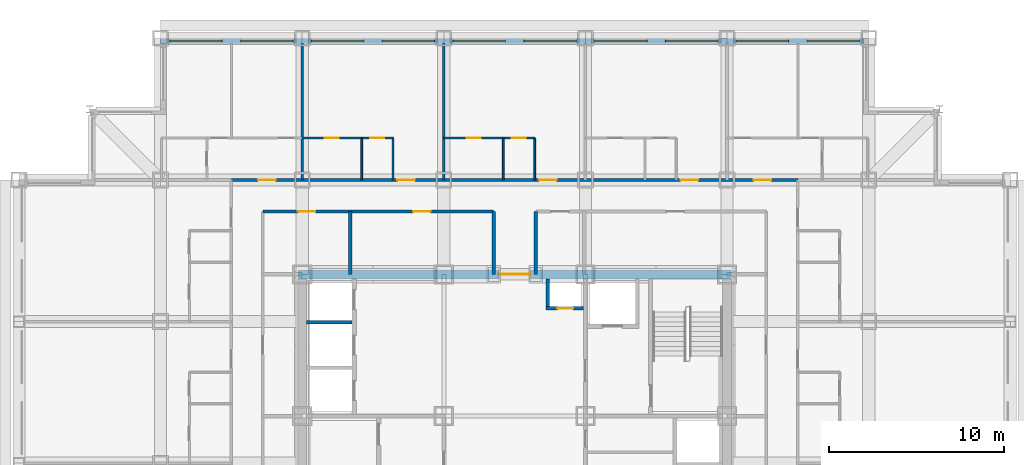
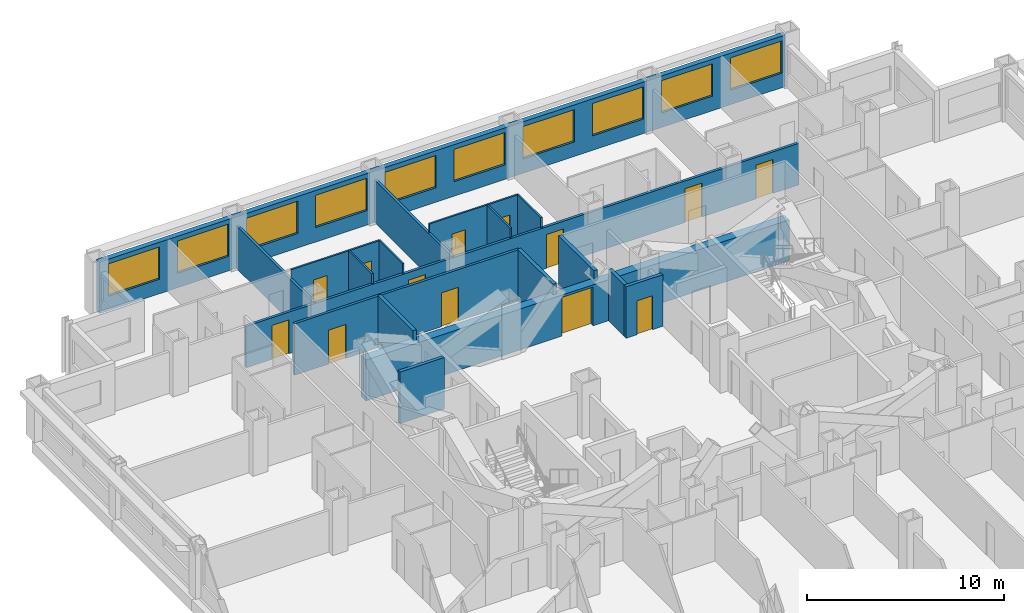
# One storey, part 9 of 12: 18 walls, 13 doors, 10 windows, 23 openings.
"""IFC4 building model written with IfcOpenShell, lengths in metres."""

from ifc_helpers import new_model, si_unit, direction, frame, frame_2d, origin, place, context, subcontext, project, spatial, rectangle, extrude, material, layer, layer_set, type_object, element, fill, save


model = new_model("IFC4")

# Units and contexts
model_context = context("Model", 3, precision=1e-05, world=origin(), true_north=direction((0.0, 1.0)))
body_context = subcontext(model_context, "Body", "Model", "MODEL_VIEW")
ifc_project = project(units=[si_unit("LENGTHUNIT", "METRE"), si_unit("AREAUNIT", "SQUARE_METRE"), si_unit("VOLUMEUNIT", "CUBIC_METRE"), si_unit("PLANEANGLEUNIT", "RADIAN"), si_unit("MASSUNIT", "GRAM", prefix="KILO")], contexts=[model_context])

# Site, building, storey
site_placement = place(None, origin())
site = spatial("IfcSite", under=ifc_project, at=site_placement, CompositionType="ELEMENT")
building_placement = place(site_placement, origin())
building = spatial("IfcBuilding", under=site, at=building_placement, Name="Kopane Lantern Tower", CompositionType="ELEMENT")
storey_placement = place(building_placement, frame((0.0, 0.0, 103.39990234375)))
storey = spatial("IfcBuildingStorey", under=building, at=storey_placement, Name="L25", CompositionType="ELEMENT", Elevation=103.39990234375)

# Wall, openings, doors
ifc_material_1 = material(Name="Moisture-resistant board on steel studs", Category="steel")
ifc_layer_1 = layer(ifc_material_1, 0.10009765625)
ifc_layer_set_1 = layer_set([ifc_layer_1], Name="BATHROOM WALL 100")
wall_type_1 = type_object("IfcWallType", Name="BATHROOM WALL 100", PredefinedType="PARTITIONING", material=ifc_layer_set_1)
wall_1_placement = place(storey_placement, frame((16.199951171875, 48.300048828125, 0.0), z_axis=(0.0, 0.0, 1.0), x_axis=(1.0, 0.0, 0.0)))
wall_1 = element("IfcWall", 1, at=wall_1_placement, inside=storey, type_object=wall_type_1, Name="Bathroom Wall 100 L25", PredefinedType="PARTITIONING", context=body_context, shape_type="SweptSolid", body=[
    extrude(rectangle(XDim=5.199951171875, YDim=0.10009765625, at=frame_2d((2.60009765625, 0.0))), origin(), (0.0, 0.0, 1.0), 3.190185546875),
])
opening_1_placement = place(wall_1_placement, frame((1.300048828125, 0.0, 0.0)))
opening_1 = element("IfcOpeningElement", 2, at=opening_1_placement, cuts=wall_1, Name="Opening L25-021", PredefinedType="OPENING", context=body_context, shape_type="SweptSolid", body=[
    extrude(rectangle(XDim=0.800048828125, YDim=2.10009765625, at=frame_2d((0.39990234375, 1.050048828125))), frame((0.0, 0.06005859375, 0.0), z_axis=(0.0, -1.0, 0.0), x_axis=(1.0, 0.0, 0.0)), (0.0, 0.0, 1.0), 0.1201171875),
])
opening_2_placement = place(wall_1_placement, frame((3.89990234375, 0.0, 0.0)))
opening_2 = element("IfcOpeningElement", 3, at=opening_2_placement, cuts=wall_1, Name="Opening L25-022", PredefinedType="OPENING", context=body_context, shape_type="SweptSolid", body=[
    extrude(rectangle(XDim=0.800048828125, YDim=2.10009765625, at=frame_2d((0.39990234375, 1.050048828125))), frame((0.0, 0.06005859375, 0.0), z_axis=(0.0, -1.0, 0.0), x_axis=(1.0, 0.0, 0.0)), (0.0, 0.0, 1.0), 0.1201171875),
])
ifc_material_2 = material(Name="Timber door set", Category="wood")
door_type_1 = type_object("IfcDoorType", Name="DOOR D2 800x2100", OperationType="SINGLE_SWING_LEFT", PredefinedType="DOOR", material=ifc_material_2)
door_1_placement = place(opening_1_placement, origin())
door_1 = element("IfcDoor", 4, at=door_1_placement, inside=storey, type_object=door_type_1, Name="Door L25-021", OperationType="SINGLE_SWING_LEFT", OverallHeight=2.10009765625, OverallWidth=0.800048828125, PredefinedType="DOOR", context=body_context, shape_type="SweptSolid", body=[
    extrude(rectangle(XDim=0.800048828125, YDim=2.10009765625, at=frame_2d((0.39990234375, 1.050048828125))), frame((0.0, 0.02490234375, 0.0), z_axis=(0.0, -1.0, 0.0), x_axis=(1.0, 0.0, 0.0)), (0.0, 0.0, 1.0), 0.050048828125),
])
fill(opening_1, door_1)
door_2_placement = place(opening_2_placement, origin())
door_2 = element("IfcDoor", 5, at=door_2_placement, inside=storey, type_object=door_type_1, Name="Door L25-022", OperationType="SINGLE_SWING_LEFT", OverallHeight=2.10009765625, OverallWidth=0.800048828125, PredefinedType="DOOR", context=body_context, shape_type="SweptSolid", body=[
    extrude(rectangle(XDim=0.800048828125, YDim=2.10009765625, at=frame_2d((0.39990234375, 1.050048828125))), frame((0.0, 0.02490234375, 0.0), z_axis=(0.0, -1.0, 0.0), x_axis=(1.0, 0.0, 0.0)), (0.0, 0.0, 1.0), 0.050048828125),
])
fill(opening_2, door_2)

# Walls
for number, where, z_axis, x_axis, name in (
    (6, (19.60009765625, 45.89990234375, 0.0), (0.0, 0.0, 1.0), (0.0, 1.0, 0.0), "Bathroom Wall 100 L25"),
    (7, (21.39990234375, 45.89990234375, 0.0), (0.0, 0.0, 1.0), (0.0, 1.0, 0.0), "Bathroom Wall 100 L25"),
):
    element("IfcWall", number, at=place(storey_placement, frame(where, z_axis=z_axis, x_axis=x_axis)), inside=storey, type_object=wall_type_1, Name=name, PredefinedType="PARTITIONING", context=body_context, shape_type="SweptSolid", body=[
        extrude(rectangle(XDim=2.400146484375, YDim=0.10009765625, at=frame_2d((1.2001953125, 0.0))), origin(), (0.0, 0.0, 1.0), 3.190185546875),
    ])

# Wall, openings, doors
wall_2_placement = place(storey_placement, frame((24.300048828125, 48.300048828125, 0.0), z_axis=(0.0, 0.0, 1.0), x_axis=(1.0, 0.0, 0.0)))
wall_2 = element("IfcWall", 8, at=wall_2_placement, inside=storey, type_object=wall_type_1, Name="Bathroom Wall 100 L25", PredefinedType="PARTITIONING", context=body_context, shape_type="SweptSolid", body=[
    extrude(rectangle(XDim=5.199951171875, YDim=0.10009765625, at=frame_2d((2.60009765625, 0.0))), origin(), (0.0, 0.0, 1.0), 3.190185546875),
])
opening_3_placement = place(wall_2_placement, frame((1.300048828125, 0.0, 0.0)))
opening_3 = element("IfcOpeningElement", 9, at=opening_3_placement, cuts=wall_2, Name="Opening L25-024", PredefinedType="OPENING", context=body_context, shape_type="SweptSolid", body=[
    extrude(rectangle(XDim=0.800048828125, YDim=2.10009765625, at=frame_2d((0.39990234375, 1.050048828125))), frame((0.0, 0.06005859375, 0.0), z_axis=(0.0, -1.0, 0.0), x_axis=(1.0, 0.0, 0.0)), (0.0, 0.0, 1.0), 0.1201171875),
])
opening_4_placement = place(wall_2_placement, frame((3.89990234375, 0.0, 0.0)))
opening_4 = element("IfcOpeningElement", 10, at=opening_4_placement, cuts=wall_2, Name="Opening L25-025", PredefinedType="OPENING", context=body_context, shape_type="SweptSolid", body=[
    extrude(rectangle(XDim=0.800048828125, YDim=2.10009765625, at=frame_2d((0.39990234375, 1.050048828125))), frame((0.0, 0.06005859375, 0.0), z_axis=(0.0, -1.0, 0.0), x_axis=(1.0, 0.0, 0.0)), (0.0, 0.0, 1.0), 0.1201171875),
])
door_3_placement = place(opening_3_placement, origin())
door_3 = element("IfcDoor", 11, at=door_3_placement, inside=storey, type_object=door_type_1, Name="Door L25-024", OperationType="SINGLE_SWING_LEFT", OverallHeight=2.10009765625, OverallWidth=0.800048828125, PredefinedType="DOOR", context=body_context, shape_type="SweptSolid", body=[
    extrude(rectangle(XDim=0.800048828125, YDim=2.10009765625, at=frame_2d((0.39990234375, 1.050048828125))), frame((0.0, 0.02490234375, 0.0), z_axis=(0.0, -1.0, 0.0), x_axis=(1.0, 0.0, 0.0)), (0.0, 0.0, 1.0), 0.050048828125),
])
fill(opening_3, door_3)
door_4_placement = place(opening_4_placement, origin())
door_4 = element("IfcDoor", 12, at=door_4_placement, inside=storey, type_object=door_type_1, Name="Door L25-025", OperationType="SINGLE_SWING_LEFT", OverallHeight=2.10009765625, OverallWidth=0.800048828125, PredefinedType="DOOR", context=body_context, shape_type="SweptSolid", body=[
    extrude(rectangle(XDim=0.800048828125, YDim=2.10009765625, at=frame_2d((0.39990234375, 1.050048828125))), frame((0.0, 0.02490234375, 0.0), z_axis=(0.0, -1.0, 0.0), x_axis=(1.0, 0.0, 0.0)), (0.0, 0.0, 1.0), 0.050048828125),
])
fill(opening_4, door_4)

# Walls
for number, where, z_axis, x_axis, name in (
    (13, (27.699951171875, 45.89990234375, 0.0), (0.0, 0.0, 1.0), (0.0, 1.0, 0.0), "Bathroom Wall 100 L25"),
    (14, (29.5, 45.89990234375, 0.0), (0.0, 0.0, 1.0), (0.0, 1.0, 0.0), "Bathroom Wall 100 L25"),
):
    element("IfcWall", number, at=place(storey_placement, frame(where, z_axis=z_axis, x_axis=x_axis)), inside=storey, type_object=wall_type_1, Name=name, PredefinedType="PARTITIONING", context=body_context, shape_type="SweptSolid", body=[
        extrude(rectangle(XDim=2.400146484375, YDim=0.10009765625, at=frame_2d((1.2001953125, 0.0))), origin(), (0.0, 0.0, 1.0), 3.190185546875),
    ])

# Wall, opening, door
ifc_material_3 = material(Name="Gypsum shaft wall EI 120", Category="gypsum")
ifc_layer_2 = layer(ifc_material_3, 0.5)
ifc_layer_set_2 = layer_set([ifc_layer_2], Name="CORE PERIMETER WALL 500 EI 120")
wall_type_2 = type_object("IfcWallType", Name="CORE PERIMETER WALL 500 EI 120", PredefinedType="SOLIDWALL", material=ifc_layer_set_2)
wall_3_placement = place(storey_placement, frame((15.949951171875, 40.5, 0.0), z_axis=(0.0, 0.0, 1.0), x_axis=(1.0, 0.0, 0.0)))
wall_3 = element("IfcWall", 15, at=wall_3_placement, inside=storey, type_object=wall_type_2, Name="Core shaft wall L25 PN", PredefinedType="SOLIDWALL", context=body_context, shape_type="SweptSolid", body=[
    extrude(rectangle(XDim=24.800048828125, YDim=0.5, at=frame_2d((12.39990234375, 0.0))), origin(), (0.0, 0.0, 1.0), 2.5400390625),
])
opening_5_placement = place(wall_3_placement, frame((11.5, 0.0, 0.0)))
opening_5 = element("IfcOpeningElement", 16, at=opening_5_placement, cuts=wall_3, Name="Opening 25.CE-N", PredefinedType="OPENING", context=body_context, shape_type="SweptSolid", body=[
    extrude(rectangle(XDim=1.800048828125, YDim=2.39990234375, at=frame_2d((0.89990234375, 1.199951171875))), frame((0.0, 0.260009765625, 0.0), z_axis=(0.0, -1.0, 0.0), x_axis=(1.0, 0.0, 0.0)), (0.0, 0.0, 1.0), 0.52001953125),
])
ifc_material_4 = material(Name="Steel door set", Category="steel")
door_type_2 = type_object("IfcDoorType", Name="CORE ENTRY DOOR 1800x2400 FD60S", OperationType="DOUBLE_DOOR_SINGLE_SWING", PredefinedType="DOOR", material=ifc_material_4)
door_5_placement = place(opening_5_placement, origin())
door_5 = element("IfcDoor", 17, at=door_5_placement, inside=storey, type_object=door_type_2, Name="Core entry door L25 north", OperationType="DOUBLE_DOOR_SINGLE_SWING", OverallHeight=2.39990234375, OverallWidth=1.800048828125, PredefinedType="DOOR", context=body_context, shape_type="SweptSolid", body=[
    extrude(rectangle(XDim=1.800048828125, YDim=2.39990234375, at=frame_2d((0.89990234375, 1.199951171875))), frame((0.0, 0.02490234375, 0.0), z_axis=(0.0, -1.0, 0.0), x_axis=(1.0, 0.0, 0.0)), (0.0, 0.0, 1.0), 0.050048828125),
])
fill(opening_5, door_5)

# Wall, openings, doors
ifc_material_5 = material(Name="Gypsum board on steel studs", Category="steel")
ifc_layer_3 = layer(ifc_material_5, 0.14990234375)
ifc_layer_set_3 = layer_set([ifc_layer_3], Name="CORRIDOR WALL 150 EI 60")
wall_type_3 = type_object("IfcWallType", Name="CORRIDOR WALL 150 EI 60", PredefinedType="PARTITIONING", material=ifc_layer_set_3)
wall_4_placement = place(storey_placement, frame((12.14990234375, 45.89990234375, 0.0), z_axis=(0.0, 0.0, 1.0), x_axis=(1.0, 0.0, 0.0)))
wall_4 = element("IfcWall", 18, at=wall_4_placement, inside=storey, type_object=wall_type_3, Name="Corridor Wall 150 Ei 60 L25", PredefinedType="PARTITIONING", context=body_context, shape_type="SweptSolid", body=[
    extrude(rectangle(XDim=32.400146484375, YDim=0.14990234375, at=frame_2d((16.2001953125, 0.0))), origin(), (0.0, 0.0, 1.0), 2.577880859375),
])
opening_6_placement = place(wall_4_placement, frame((9.5, 0.0, 0.0)))
opening_6 = element("IfcOpeningElement", 19, at=opening_6_placement, cuts=wall_4, Name="Opening L25-023", PredefinedType="OPENING", context=body_context, shape_type="SweptSolid", body=[
    extrude(rectangle(XDim=1.0, YDim=2.10009765625, at=frame_2d((0.5, 1.050048828125))), frame((0.0, 0.0849609375, 0.0), z_axis=(0.0, -1.0, 0.0), x_axis=(1.0, 0.0, 0.0)), (0.0, 0.0, 1.0), 0.169921875),
])
opening_7_placement = place(wall_4_placement, frame((17.60009765625, 0.0, 0.0)))
opening_7 = element("IfcOpeningElement", 20, at=opening_7_placement, cuts=wall_4, Name="Opening L25-026", PredefinedType="OPENING", context=body_context, shape_type="SweptSolid", body=[
    extrude(rectangle(XDim=1.0, YDim=2.10009765625, at=frame_2d((0.5, 1.050048828125))), frame((0.0, 0.0849609375, 0.0), z_axis=(0.0, -1.0, 0.0), x_axis=(1.0, 0.0, 0.0)), (0.0, 0.0, 1.0), 0.169921875),
])
opening_8_placement = place(wall_4_placement, frame((25.699951171875, 0.0, 0.0)))
opening_8 = element("IfcOpeningElement", 21, at=opening_8_placement, cuts=wall_4, Name="Opening L25-029", PredefinedType="OPENING", context=body_context, shape_type="SweptSolid", body=[
    extrude(rectangle(XDim=1.0, YDim=2.10009765625, at=frame_2d((0.5, 1.050048828125))), frame((0.0, 0.0849609375, 0.0), z_axis=(0.0, -1.0, 0.0), x_axis=(1.0, 0.0, 0.0)), (0.0, 0.0, 1.0), 0.169921875),
])
opening_9_placement = place(wall_4_placement, frame((29.875, 0.0, 0.0)))
opening_9 = element("IfcOpeningElement", 22, at=opening_9_placement, cuts=wall_4, Name="Opening L25-059", PredefinedType="OPENING", context=body_context, shape_type="SweptSolid", body=[
    extrude(rectangle(XDim=1.0, YDim=2.10009765625, at=frame_2d((0.5, 1.050048828125))), frame((0.0, 0.0849609375, 0.0), z_axis=(0.0, -1.0, 0.0), x_axis=(1.0, 0.0, 0.0)), (0.0, 0.0, 1.0), 0.169921875),
])
opening_10_placement = place(wall_4_placement, frame((1.52490234375, 0.0, 0.0)))
opening_10 = element("IfcOpeningElement", 23, at=opening_10_placement, cuts=wall_4, Name="Opening L25-063", PredefinedType="OPENING", context=body_context, shape_type="SweptSolid", body=[
    extrude(rectangle(XDim=1.0, YDim=2.10009765625, at=frame_2d((0.5, 1.050048828125))), frame((0.0, 0.0849609375, 0.0), z_axis=(0.0, -1.0, 0.0), x_axis=(1.0, 0.0, 0.0)), (0.0, 0.0, 1.0), 0.169921875),
])
ifc_material_6 = material(Name="Steel door set", Category="steel")
door_type_3 = type_object("IfcDoorType", Name="DOOR D1 1000x2100 FD30S", OperationType="SINGLE_SWING_LEFT", PredefinedType="DOOR", material=ifc_material_6)
door_6_placement = place(opening_6_placement, origin())
door_6 = element("IfcDoor", 24, at=door_6_placement, inside=storey, type_object=door_type_3, Name="Door L25-023", OperationType="SINGLE_SWING_LEFT", OverallHeight=2.10009765625, OverallWidth=1.0, PredefinedType="DOOR", context=body_context, shape_type="SweptSolid", body=[
    extrude(rectangle(XDim=1.0, YDim=2.10009765625, at=frame_2d((0.5, 1.050048828125))), frame((0.0, 0.02490234375, 0.0), z_axis=(0.0, -1.0, 0.0), x_axis=(1.0, 0.0, 0.0)), (0.0, 0.0, 1.0), 0.050048828125),
])
fill(opening_6, door_6)
door_7_placement = place(opening_7_placement, origin())
door_7 = element("IfcDoor", 25, at=door_7_placement, inside=storey, type_object=door_type_3, Name="Door L25-026", OperationType="SINGLE_SWING_LEFT", OverallHeight=2.10009765625, OverallWidth=1.0, PredefinedType="DOOR", context=body_context, shape_type="SweptSolid", body=[
    extrude(rectangle(XDim=1.0, YDim=2.10009765625, at=frame_2d((0.5, 1.050048828125))), frame((0.0, 0.02490234375, 0.0), z_axis=(0.0, -1.0, 0.0), x_axis=(1.0, 0.0, 0.0)), (0.0, 0.0, 1.0), 0.050048828125),
])
fill(opening_7, door_7)
door_8_placement = place(opening_8_placement, origin())
door_8 = element("IfcDoor", 26, at=door_8_placement, inside=storey, type_object=door_type_3, Name="Door L25-029", OperationType="SINGLE_SWING_LEFT", OverallHeight=2.10009765625, OverallWidth=1.0, PredefinedType="DOOR", context=body_context, shape_type="SweptSolid", body=[
    extrude(rectangle(XDim=1.0, YDim=2.10009765625, at=frame_2d((0.5, 1.050048828125))), frame((0.0, 0.02490234375, 0.0), z_axis=(0.0, -1.0, 0.0), x_axis=(1.0, 0.0, 0.0)), (0.0, 0.0, 1.0), 0.050048828125),
])
fill(opening_8, door_8)
door_9_placement = place(opening_9_placement, origin())
door_9 = element("IfcDoor", 27, at=door_9_placement, inside=storey, type_object=door_type_3, Name="Door L25-059", OperationType="SINGLE_SWING_LEFT", OverallHeight=2.10009765625, OverallWidth=1.0, PredefinedType="DOOR", context=body_context, shape_type="SweptSolid", body=[
    extrude(rectangle(XDim=1.0, YDim=2.10009765625, at=frame_2d((0.5, 1.050048828125))), frame((0.0, 0.02490234375, 0.0), z_axis=(0.0, -1.0, 0.0), x_axis=(1.0, 0.0, 0.0)), (0.0, 0.0, 1.0), 0.050048828125),
])
fill(opening_9, door_9)
door_10_placement = place(opening_10_placement, origin())
door_10 = element("IfcDoor", 28, at=door_10_placement, inside=storey, type_object=door_type_3, Name="Door L25-063", OperationType="SINGLE_SWING_RIGHT", OverallHeight=2.10009765625, OverallWidth=1.0, PredefinedType="DOOR", context=body_context, shape_type="SweptSolid", body=[
    extrude(rectangle(XDim=1.0, YDim=2.10009765625, at=frame_2d((0.5, 1.050048828125))), frame((0.0, 0.02490234375, 0.0), z_axis=(0.0, -1.0, 0.0), x_axis=(1.0, 0.0, 0.0)), (0.0, 0.0, 1.0), 0.050048828125),
])
fill(opening_10, door_10)

wall_5_placement = place(storey_placement, frame((27.139892578125, 44.10009765625, 0.0), z_axis=(0.0, 0.0, 1.0), x_axis=(-1.0, 0.0, 0.0)))
wall_5 = element("IfcWall", 29, at=wall_5_placement, inside=storey, type_object=wall_type_3, Name="Corridor Wall 150 Ei 60 L25", PredefinedType="PARTITIONING", context=body_context, shape_type="SweptSolid", body=[
    extrude(rectangle(XDim=13.18994140625, YDim=0.14990234375, at=frame_2d((6.594970703125, 0.0))), origin(), (0.0, 0.0, 1.0), 3.190185546875),
])
opening_11_placement = place(wall_5_placement, frame((10.18994140625, 0.0, 0.0)))
opening_11 = element("IfcOpeningElement", 30, at=opening_11_placement, cuts=wall_5, Name="Opening L25-005", PredefinedType="OPENING", context=body_context, shape_type="SweptSolid", body=[
    extrude(rectangle(XDim=1.0, YDim=2.10009765625, at=frame_2d((0.5, 1.050048828125))), frame((0.0, 0.0849609375, 0.0), z_axis=(0.0, -1.0, 0.0), x_axis=(1.0, 0.0, 0.0)), (0.0, 0.0, 1.0), 0.169921875),
])
opening_12_placement = place(wall_5_placement, frame((3.590087890625, 0.0, 0.0)))
opening_12 = element("IfcOpeningElement", 31, at=opening_12_placement, cuts=wall_5, Name="Opening L25-006", PredefinedType="OPENING", context=body_context, shape_type="SweptSolid", body=[
    extrude(rectangle(XDim=1.0, YDim=2.10009765625, at=frame_2d((0.5, 1.050048828125))), frame((0.0, 0.0849609375, 0.0), z_axis=(0.0, -1.0, 0.0), x_axis=(1.0, 0.0, 0.0)), (0.0, 0.0, 1.0), 0.169921875),
])
ifc_material_7 = material(Name="Steel door set", Category="steel")
door_type_4 = type_object("IfcDoorType", Name="DOOR D5 1000x2100 FD60", OperationType="SINGLE_SWING_LEFT", PredefinedType="DOOR", material=ifc_material_7)
door_11_placement = place(opening_11_placement, origin())
door_11 = element("IfcDoor", 32, at=door_11_placement, inside=storey, type_object=door_type_4, Name="Door L25-005", OperationType="SINGLE_SWING_RIGHT", OverallHeight=2.10009765625, OverallWidth=1.0, PredefinedType="DOOR", context=body_context, shape_type="SweptSolid", body=[
    extrude(rectangle(XDim=1.0, YDim=2.10009765625, at=frame_2d((0.5, 1.050048828125))), frame((0.0, 0.02490234375, 0.0), z_axis=(0.0, -1.0, 0.0), x_axis=(1.0, 0.0, 0.0)), (0.0, 0.0, 1.0), 0.050048828125),
])
fill(opening_11, door_11)
door_12_placement = place(opening_12_placement, origin())
door_12 = element("IfcDoor", 33, at=door_12_placement, inside=storey, type_object=door_type_4, Name="Door L25-006", OperationType="SINGLE_SWING_LEFT", OverallHeight=2.10009765625, OverallWidth=1.0, PredefinedType="DOOR", context=body_context, shape_type="SweptSolid", body=[
    extrude(rectangle(XDim=1.0, YDim=2.10009765625, at=frame_2d((0.5, 1.050048828125))), frame((0.0, 0.02490234375, 0.0), z_axis=(0.0, -1.0, 0.0), x_axis=(1.0, 0.0, 0.0)), (0.0, 0.0, 1.0), 0.050048828125),
])
fill(opening_12, door_12)

# Walls
ifc_material_8 = material(Name="Gypsum board on steel studs", Category="steel")
ifc_layer_4 = layer(ifc_material_8, 0.14990234375)
ifc_layer_set_4 = layer_set([ifc_layer_4], Name="DEMISING WALL 150 EI 60")
wall_type_4 = type_object("IfcWallType", Name="DEMISING WALL 150 EI 60", PredefinedType="PARTITIONING", material=ifc_layer_set_4)
for number, where, z_axis, x_axis, name in (
    (34, (24.300048828125, 45.89990234375, 0.0), (0.0, 0.0, 1.0), (0.0, 1.0, 0.0), "Demising Wall 150 Ei 60 L25"),
    (35, (16.199951171875, 45.89990234375, 0.0), (0.0, 0.0, 1.0), (0.0, 1.0, 0.0), "Demising Wall 150 Ei 60 L25"),
):
    element("IfcWall", number, at=place(storey_placement, frame(where, z_axis=z_axis, x_axis=x_axis)), inside=storey, type_object=wall_type_4, Name=name, PredefinedType="PARTITIONING", context=body_context, shape_type="SweptSolid", body=[
        extrude(rectangle(XDim=7.800048828125, YDim=0.14990234375, at=frame_2d((3.89990234375, 0.0))), origin(), (0.0, 0.0, 1.0), 2.64013671875),
    ])

# Wall, openings, windows
ifc_material_9 = material(Name="Terracotta rainscreen on light steel framing", Category="masonry")
ifc_layer_5 = layer(ifc_material_9, 0.300048828125)
ifc_layer_set_5 = layer_set([ifc_layer_5], Name="EXTERNAL WALL EW1 300 TERRACOTTA")
wall_type_5 = type_object("IfcWallType", Name="EXTERNAL WALL EW1 300 TERRACOTTA", PredefinedType="SOLIDWALL", material=ifc_layer_set_5)
wall_6_placement = place(storey_placement, frame((48.300048828125, 53.85009765625, 0.0), z_axis=(0.0, 0.0, 1.0), x_axis=(-1.0, 0.0, 0.0)))
wall_6 = element("IfcWall", 36, at=wall_6_placement, inside=storey, type_object=wall_type_5, Name="External wall N L25", PredefinedType="SOLIDWALL", context=body_context, shape_type="SweptSolid", body=[
    extrude(rectangle(XDim=40.199951171875, YDim=0.300048828125, at=frame_2d((20.10009765625, 0.0))), origin(), (0.0, 0.0, 1.0), 3.190185546875),
])
opening_13_placement = place(wall_6_placement, frame((0.22509765625, 0.0, 0.89990234375)))
opening_13 = element("IfcOpeningElement", 37, at=opening_13_placement, cuts=wall_6, Name="Opening WR300200", PredefinedType="OPENING", context=body_context, shape_type="SweptSolid", body=[
    extrude(rectangle(XDim=3.0, YDim=2.0, at=frame_2d((1.5, 1.0))), frame((0.0, 0.159912109375, 0.0), z_axis=(0.0, -1.0, 0.0), x_axis=(1.0, 0.0, 0.0)), (0.0, 0.0, 1.0), 0.320068359375),
])
opening_14_placement = place(wall_6_placement, frame((4.27490234375, 0.0, 0.89990234375)))
opening_14 = element("IfcOpeningElement", 38, at=opening_14_placement, cuts=wall_6, Name="Opening WR300200", PredefinedType="OPENING", context=body_context, shape_type="SweptSolid", body=[
    extrude(rectangle(XDim=3.0, YDim=2.0, at=frame_2d((1.5, 1.0))), frame((0.0, 0.159912109375, 0.0), z_axis=(0.0, -1.0, 0.0), x_axis=(1.0, 0.0, 0.0)), (0.0, 0.0, 1.0), 0.320068359375),
])
opening_15_placement = place(wall_6_placement, frame((8.324951171875, 0.0, 0.89990234375)))
opening_15 = element("IfcOpeningElement", 39, at=opening_15_placement, cuts=wall_6, Name="Opening WR300200", PredefinedType="OPENING", context=body_context, shape_type="SweptSolid", body=[
    extrude(rectangle(XDim=3.0, YDim=2.0, at=frame_2d((1.5, 1.0))), frame((0.0, 0.159912109375, 0.0), z_axis=(0.0, -1.0, 0.0), x_axis=(1.0, 0.0, 0.0)), (0.0, 0.0, 1.0), 0.320068359375),
])
opening_16_placement = place(wall_6_placement, frame((12.375, 0.0, 0.89990234375)))
opening_16 = element("IfcOpeningElement", 40, at=opening_16_placement, cuts=wall_6, Name="Opening WR300200", PredefinedType="OPENING", context=body_context, shape_type="SweptSolid", body=[
    extrude(rectangle(XDim=3.0, YDim=2.0, at=frame_2d((1.5, 1.0))), frame((0.0, 0.159912109375, 0.0), z_axis=(0.0, -1.0, 0.0), x_axis=(1.0, 0.0, 0.0)), (0.0, 0.0, 1.0), 0.320068359375),
])
opening_17_placement = place(wall_6_placement, frame((16.425048828125, 0.0, 0.89990234375)))
opening_17 = element("IfcOpeningElement", 41, at=opening_17_placement, cuts=wall_6, Name="Opening WR300200", PredefinedType="OPENING", context=body_context, shape_type="SweptSolid", body=[
    extrude(rectangle(XDim=3.0, YDim=2.0, at=frame_2d((1.5, 1.0))), frame((0.0, 0.159912109375, 0.0), z_axis=(0.0, -1.0, 0.0), x_axis=(1.0, 0.0, 0.0)), (0.0, 0.0, 1.0), 0.320068359375),
])
opening_18_placement = place(wall_6_placement, frame((20.47509765625, 0.0, 0.89990234375)))
opening_18 = element("IfcOpeningElement", 42, at=opening_18_placement, cuts=wall_6, Name="Opening WR300200", PredefinedType="OPENING", context=body_context, shape_type="SweptSolid", body=[
    extrude(rectangle(XDim=3.0, YDim=2.0, at=frame_2d((1.5, 1.0))), frame((0.0, 0.159912109375, 0.0), z_axis=(0.0, -1.0, 0.0), x_axis=(1.0, 0.0, 0.0)), (0.0, 0.0, 1.0), 0.320068359375),
])
opening_19_placement = place(wall_6_placement, frame((24.52490234375, 0.0, 0.89990234375)))
opening_19 = element("IfcOpeningElement", 43, at=opening_19_placement, cuts=wall_6, Name="Opening WR300200", PredefinedType="OPENING", context=body_context, shape_type="SweptSolid", body=[
    extrude(rectangle(XDim=3.0, YDim=2.0, at=frame_2d((1.5, 1.0))), frame((0.0, 0.159912109375, 0.0), z_axis=(0.0, -1.0, 0.0), x_axis=(1.0, 0.0, 0.0)), (0.0, 0.0, 1.0), 0.320068359375),
])
opening_20_placement = place(wall_6_placement, frame((28.574951171875, 0.0, 0.89990234375)))
opening_20 = element("IfcOpeningElement", 44, at=opening_20_placement, cuts=wall_6, Name="Opening WR300200", PredefinedType="OPENING", context=body_context, shape_type="SweptSolid", body=[
    extrude(rectangle(XDim=3.0, YDim=2.0, at=frame_2d((1.5, 1.0))), frame((0.0, 0.159912109375, 0.0), z_axis=(0.0, -1.0, 0.0), x_axis=(1.0, 0.0, 0.0)), (0.0, 0.0, 1.0), 0.320068359375),
])
opening_21_placement = place(wall_6_placement, frame((32.625, 0.0, 0.89990234375)))
opening_21 = element("IfcOpeningElement", 45, at=opening_21_placement, cuts=wall_6, Name="Opening WR300200", PredefinedType="OPENING", context=body_context, shape_type="SweptSolid", body=[
    extrude(rectangle(XDim=3.0, YDim=2.0, at=frame_2d((1.5, 1.0))), frame((0.0, 0.159912109375, 0.0), z_axis=(0.0, -1.0, 0.0), x_axis=(1.0, 0.0, 0.0)), (0.0, 0.0, 1.0), 0.320068359375),
])
opening_22_placement = place(wall_6_placement, frame((36.675048828125, 0.0, 0.89990234375)))
opening_22 = element("IfcOpeningElement", 46, at=opening_22_placement, cuts=wall_6, Name="Opening WR300200", PredefinedType="OPENING", context=body_context, shape_type="SweptSolid", body=[
    extrude(rectangle(XDim=3.0, YDim=2.0, at=frame_2d((1.5, 1.0))), frame((0.0, 0.159912109375, 0.0), z_axis=(0.0, -1.0, 0.0), x_axis=(1.0, 0.0, 0.0)), (0.0, 0.0, 1.0), 0.320068359375),
])
ifc_material_10 = material(Name="Aluminium and clear glass", Category="aluminium")
window_type = type_object("IfcWindowType", Name="RIBBON WINDOW WR300200 3000x2000", PartitioningType="SINGLE_PANEL", PredefinedType="WINDOW", material=ifc_material_10)
window_1_placement = place(opening_13_placement, origin())
window_1 = element("IfcWindow", 47, at=window_1_placement, inside=storey, type_object=window_type, Name="Window N L25", OverallHeight=2.0, OverallWidth=3.0, PartitioningType="SINGLE_PANEL", PredefinedType="WINDOW", context=body_context, shape_type="SweptSolid", body=[
    extrude(rectangle(XDim=3.0, YDim=2.0, at=frame_2d((1.5, 1.0))), frame((0.0, 0.030029296875, 0.0), z_axis=(0.0, -1.0, 0.0), x_axis=(1.0, 0.0, 0.0)), (0.0, 0.0, 1.0), 0.06005859375),
])
fill(opening_13, window_1)
window_2_placement = place(opening_14_placement, origin())
window_2 = element("IfcWindow", 48, at=window_2_placement, inside=storey, type_object=window_type, Name="Window N L25", OverallHeight=2.0, OverallWidth=3.0, PartitioningType="SINGLE_PANEL", PredefinedType="WINDOW", context=body_context, shape_type="SweptSolid", body=[
    extrude(rectangle(XDim=3.0, YDim=2.0, at=frame_2d((1.5, 1.0))), frame((0.0, 0.030029296875, 0.0), z_axis=(0.0, -1.0, 0.0), x_axis=(1.0, 0.0, 0.0)), (0.0, 0.0, 1.0), 0.06005859375),
])
fill(opening_14, window_2)
window_3_placement = place(opening_15_placement, origin())
window_3 = element("IfcWindow", 49, at=window_3_placement, inside=storey, type_object=window_type, Name="Window N L25", OverallHeight=2.0, OverallWidth=3.0, PartitioningType="SINGLE_PANEL", PredefinedType="WINDOW", context=body_context, shape_type="SweptSolid", body=[
    extrude(rectangle(XDim=3.0, YDim=2.0, at=frame_2d((1.5, 1.0))), frame((0.0, 0.030029296875, 0.0), z_axis=(0.0, -1.0, 0.0), x_axis=(1.0, 0.0, 0.0)), (0.0, 0.0, 1.0), 0.06005859375),
])
fill(opening_15, window_3)
window_4_placement = place(opening_16_placement, origin())
window_4 = element("IfcWindow", 50, at=window_4_placement, inside=storey, type_object=window_type, Name="Window N L25", OverallHeight=2.0, OverallWidth=3.0, PartitioningType="SINGLE_PANEL", PredefinedType="WINDOW", context=body_context, shape_type="SweptSolid", body=[
    extrude(rectangle(XDim=3.0, YDim=2.0, at=frame_2d((1.5, 1.0))), frame((0.0, 0.030029296875, 0.0), z_axis=(0.0, -1.0, 0.0), x_axis=(1.0, 0.0, 0.0)), (0.0, 0.0, 1.0), 0.06005859375),
])
fill(opening_16, window_4)
window_5_placement = place(opening_17_placement, origin())
window_5 = element("IfcWindow", 51, at=window_5_placement, inside=storey, type_object=window_type, Name="Window N L25", OverallHeight=2.0, OverallWidth=3.0, PartitioningType="SINGLE_PANEL", PredefinedType="WINDOW", context=body_context, shape_type="SweptSolid", body=[
    extrude(rectangle(XDim=3.0, YDim=2.0, at=frame_2d((1.5, 1.0))), frame((0.0, 0.030029296875, 0.0), z_axis=(0.0, -1.0, 0.0), x_axis=(1.0, 0.0, 0.0)), (0.0, 0.0, 1.0), 0.06005859375),
])
fill(opening_17, window_5)
window_6_placement = place(opening_18_placement, origin())
window_6 = element("IfcWindow", 52, at=window_6_placement, inside=storey, type_object=window_type, Name="Window N L25", OverallHeight=2.0, OverallWidth=3.0, PartitioningType="SINGLE_PANEL", PredefinedType="WINDOW", context=body_context, shape_type="SweptSolid", body=[
    extrude(rectangle(XDim=3.0, YDim=2.0, at=frame_2d((1.5, 1.0))), frame((0.0, 0.030029296875, 0.0), z_axis=(0.0, -1.0, 0.0), x_axis=(1.0, 0.0, 0.0)), (0.0, 0.0, 1.0), 0.06005859375),
])
fill(opening_18, window_6)
window_7_placement = place(opening_19_placement, origin())
window_7 = element("IfcWindow", 53, at=window_7_placement, inside=storey, type_object=window_type, Name="Window N L25", OverallHeight=2.0, OverallWidth=3.0, PartitioningType="SINGLE_PANEL", PredefinedType="WINDOW", context=body_context, shape_type="SweptSolid", body=[
    extrude(rectangle(XDim=3.0, YDim=2.0, at=frame_2d((1.5, 1.0))), frame((0.0, 0.030029296875, 0.0), z_axis=(0.0, -1.0, 0.0), x_axis=(1.0, 0.0, 0.0)), (0.0, 0.0, 1.0), 0.06005859375),
])
fill(opening_19, window_7)
window_8_placement = place(opening_20_placement, origin())
window_8 = element("IfcWindow", 54, at=window_8_placement, inside=storey, type_object=window_type, Name="Window N L25", OverallHeight=2.0, OverallWidth=3.0, PartitioningType="SINGLE_PANEL", PredefinedType="WINDOW", context=body_context, shape_type="SweptSolid", body=[
    extrude(rectangle(XDim=3.0, YDim=2.0, at=frame_2d((1.5, 1.0))), frame((0.0, 0.030029296875, 0.0), z_axis=(0.0, -1.0, 0.0), x_axis=(1.0, 0.0, 0.0)), (0.0, 0.0, 1.0), 0.06005859375),
])
fill(opening_20, window_8)
window_9_placement = place(opening_21_placement, origin())
window_9 = element("IfcWindow", 55, at=window_9_placement, inside=storey, type_object=window_type, Name="Window N L25", OverallHeight=2.0, OverallWidth=3.0, PartitioningType="SINGLE_PANEL", PredefinedType="WINDOW", context=body_context, shape_type="SweptSolid", body=[
    extrude(rectangle(XDim=3.0, YDim=2.0, at=frame_2d((1.5, 1.0))), frame((0.0, 0.030029296875, 0.0), z_axis=(0.0, -1.0, 0.0), x_axis=(1.0, 0.0, 0.0)), (0.0, 0.0, 1.0), 0.06005859375),
])
fill(opening_21, window_9)
window_10_placement = place(opening_22_placement, origin())
window_10 = element("IfcWindow", 56, at=window_10_placement, inside=storey, type_object=window_type, Name="Window N L25", OverallHeight=2.0, OverallWidth=3.0, PartitioningType="SINGLE_PANEL", PredefinedType="WINDOW", context=body_context, shape_type="SweptSolid", body=[
    extrude(rectangle(XDim=3.0, YDim=2.0, at=frame_2d((1.5, 1.0))), frame((0.0, 0.030029296875, 0.0), z_axis=(0.0, -1.0, 0.0), x_axis=(1.0, 0.0, 0.0)), (0.0, 0.0, 1.0), 0.06005859375),
])
fill(opening_22, window_10)

# Walls
ifc_material_11 = material(Name="Concrete masonry", Category="masonry")
ifc_layer_6 = layer(ifc_material_11, 0.199951171875)
ifc_layer_set_6 = layer_set([ifc_layer_6], Name="PLANT ROOM WALL 200 EI 120")
wall_type_6 = type_object("IfcWallType", Name="PLANT ROOM WALL 200 EI 120", PredefinedType="SOLIDWALL", material=ifc_layer_set_6)
for number, where, z_axis, x_axis, name in (
    (57, (18.949951171875, 44.10009765625, 0.0), (0.0, 0.0, 1.0), (0.0, -1.0, 0.0), "Plant Room Wall 200 Ei 120 L25"),
    (58, (27.14990234375, 40.5, 0.0), (0.0, 0.0, 1.0), (0.0, 1.0, 0.0), "Plant Room Wall 200 Ei 120 L25"),
    (59, (29.550048828125, 40.5, 0.0), (0.0, 0.0, 1.0), (0.0, 1.0, 0.0), "Plant Room Wall 200 Ei 120 L25"),
):
    element("IfcWall", number, at=place(storey_placement, frame(where, z_axis=z_axis, x_axis=x_axis)), inside=storey, type_object=wall_type_6, Name=name, PredefinedType="SOLIDWALL", context=body_context, shape_type="SweptSolid", body=[
        extrude(rectangle(XDim=3.60009765625, YDim=0.199951171875, at=frame_2d((1.800048828125, 0.0))), origin(), (0.0, 0.0, 1.0), 3.190185546875),
    ])
ifc_material_12 = material(Name="Gypsum shaft wall EI 120", Category="gypsum")
ifc_layer_7 = layer(ifc_material_12, 0.199951171875)
ifc_layer_set_7 = layer_set([ifc_layer_7], Name="SHAFT WALL 200 EI 120")
wall_type_7 = type_object("IfcWallType", Name="SHAFT WALL 200 EI 120", PredefinedType="SOLIDWALL", material=ifc_layer_set_7)
wall_7_placement = place(storey_placement, frame((16.449951171875, 37.75, 0.0), z_axis=(0.0, 0.0, 1.0), x_axis=(1.0, 0.0, 0.0)))
element("IfcWall", 60, at=wall_7_placement, inside=storey, type_object=wall_type_7, Name="Core shaft wall L25 YLH23", PredefinedType="SOLIDWALL", context=body_context, shape_type="SweptSolid", body=[
    extrude(rectangle(XDim=2.60009765625, YDim=0.199951171875, at=frame_2d((1.300048828125, 0.0))), origin(), (0.0, 0.0, 1.0), 3.190185546875),
])
wall_8_placement = place(storey_placement, frame((30.25, 38.64990234375, 0.0), z_axis=(0.0, 0.0, 1.0), x_axis=(0.0, 1.0, 0.0)))
element("IfcWall", 61, at=wall_8_placement, inside=storey, type_object=wall_type_7, Name="Core shaft wall L25 XRS2", PredefinedType="SOLIDWALL", context=body_context, shape_type="SweptSolid", body=[
    extrude(rectangle(XDim=1.60009765625, YDim=0.199951171875, at=frame_2d((0.800048828125, 0.0))), origin(), (0.0, 0.0, 1.0), 3.190185546875),
])

# Wall, opening, door
wall_9_placement = place(storey_placement, frame((30.14990234375, 38.550048828125, 0.0), z_axis=(0.0, 0.0, 1.0), x_axis=(1.0, 0.0, 0.0)))
wall_9 = element("IfcWall", 62, at=wall_9_placement, inside=storey, type_object=wall_type_7, Name="Core shaft wall L25 YRS2", PredefinedType="SOLIDWALL", context=body_context, shape_type="SweptSolid", body=[
    extrude(rectangle(XDim=2.150146484375, YDim=0.199951171875, at=frame_2d((1.0751953125, 0.0))), origin(), (0.0, 0.0, 1.0), 3.190185546875),
])
opening_23_placement = place(wall_9_placement, frame((0.64990234375, 0.0, 0.0)))
opening_23 = element("IfcOpeningElement", 63, at=opening_23_placement, cuts=wall_9, Name="Opening 25.RS2", PredefinedType="OPENING", context=body_context, shape_type="SweptSolid", body=[
    extrude(rectangle(XDim=0.89990234375, YDim=2.10009765625, at=frame_2d((0.449951171875, 1.050048828125))), frame((0.0, 0.10986328125, 0.0), z_axis=(0.0, -1.0, 0.0), x_axis=(1.0, 0.0, 0.0)), (0.0, 0.0, 1.0), 0.219970703125),
])
ifc_material_13 = material(Name="Steel door set", Category="steel")
door_type_5 = type_object("IfcDoorType", Name="RISER ACCESS DOOR 900x2100 FD60", OperationType="SINGLE_SWING_LEFT", PredefinedType="DOOR", material=ifc_material_13)
door_13_placement = place(opening_23_placement, origin())
door_13 = element("IfcDoor", 64, at=door_13_placement, inside=storey, type_object=door_type_5, Name="Riser access door RS2 L25", OperationType="SINGLE_SWING_LEFT", OverallHeight=2.10009765625, OverallWidth=0.89990234375, PredefinedType="DOOR", context=body_context, shape_type="SweptSolid", body=[
    extrude(rectangle(XDim=0.89990234375, YDim=2.10009765625, at=frame_2d((0.449951171875, 1.050048828125))), frame((0.0, 0.02490234375, 0.0), z_axis=(0.0, -1.0, 0.0), x_axis=(1.0, 0.0, 0.0)), (0.0, 0.0, 1.0), 0.050048828125),
])
fill(opening_23, door_13)

save(model, "model.ifc")
